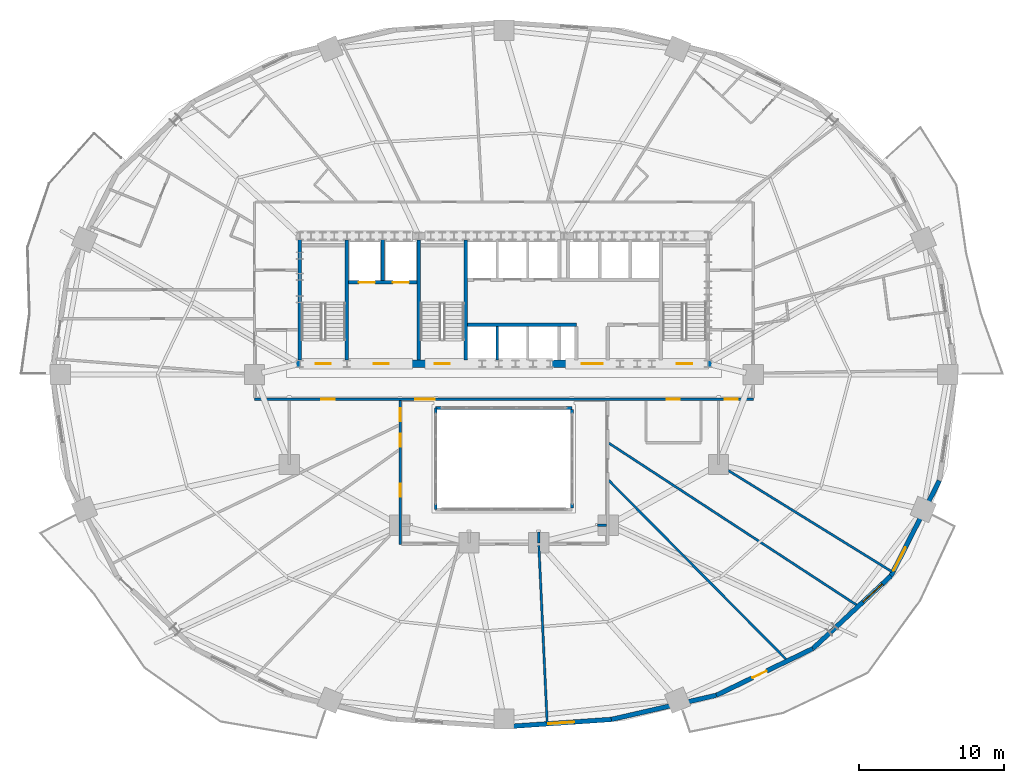
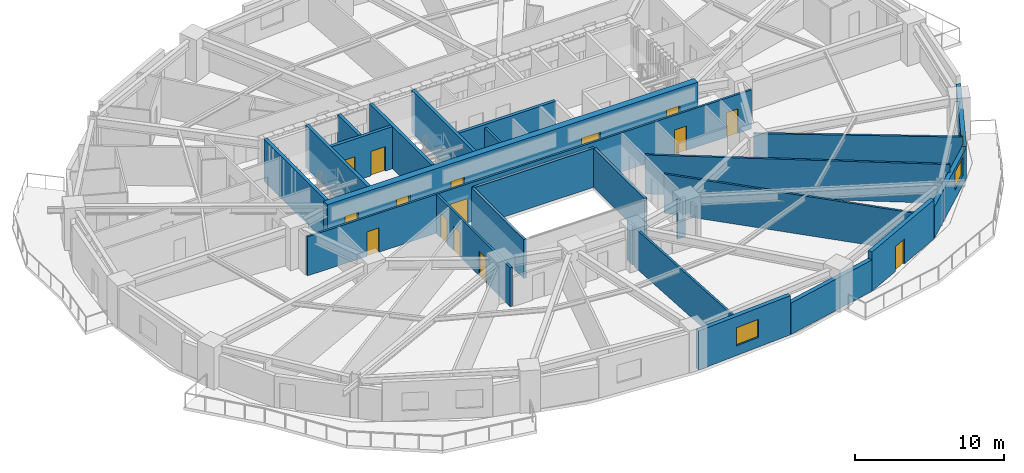
# One storey, part 10 of 17: 25 walls, 15 doors, 3 windows, 18 openings.
"""IFC4 building model written with IfcOpenShell, lengths in metres."""

from ifc_helpers import new_model, si_unit, direction, frame, frame_2d, origin, place, context, subcontext, project, spatial, rectangle, extrude, material, layer, layer_set, type_object, element, fill, save


model = new_model("IFC4")

# Units and contexts
model_context = context("Model", 3, precision=1e-05, world=origin(), true_north=direction((0.0, 1.0)))
body_context = subcontext(model_context, "Body", "Model", "MODEL_VIEW")
ifc_project = project(units=[si_unit("LENGTHUNIT", "METRE"), si_unit("AREAUNIT", "SQUARE_METRE"), si_unit("VOLUMEUNIT", "CUBIC_METRE"), si_unit("PLANEANGLEUNIT", "RADIAN"), si_unit("MASSUNIT", "GRAM", prefix="KILO")], contexts=[model_context])

# Site, building, storey
site_placement = place(None, origin())
site = spatial("IfcSite", under=ifc_project, at=site_placement, CompositionType="ELEMENT")
building_placement = place(site_placement, origin())
building = spatial("IfcBuilding", under=site, at=building_placement, Name="Haldorwick Loom Tower", CompositionType="ELEMENT")
storey_placement = place(building_placement, frame((0.0, 0.0, 30.89990234375)))
storey = spatial("IfcBuildingStorey", under=building, at=storey_placement, Name="L07", CompositionType="ELEMENT", Elevation=30.89990234375)

# Wall, opening, window
ifc_material_1 = material(Name="Pressed Clay Face Brick and Insulated Masonry Backup Assembly", Category="masonry")
ifc_layer_1 = layer(ifc_material_1, 0.320068359375, Name="Pressed Clay Face Brick and Insulated Masonry Backup Assembly", Category="masonry")
ifc_layer_set_1 = layer_set([ifc_layer_1], Name="Pressed Clay Face Brick and Insulated Masonry Backup Assembly")
wall_type_1 = type_object("IfcWallType", Name="ARC-WL-EXT320", PredefinedType="STANDARD", material=ifc_layer_set_1)
wall_1_placement = place(storey_placement, frame((36.0, 1.7099609375, 0.0), z_axis=(0.0, 0.0, 1.0), x_axis=(0.997645161917, 0.068586667092, 0.0)))
wall_1 = element("IfcWall", 1, at=wall_1_placement, inside=storey, type_object=wall_type_1, Name="L07 Brick Pier and Spandrel Wall 19", PredefinedType="STANDARD", context=body_context, shape_type="SweptSolid", body=[
    extrude(rectangle(XDim=7.428955078125, YDim=0.320068359375, at=frame_2d((3.71435546875, 0.0))), origin(), (0.0, 0.0, 1.0), 3.210205078125),
])
opening_1_placement = place(wall_1_placement, frame((3.055908203125, 0.0, 0.800048828125)))
opening_1 = element("IfcOpeningElement", 2, at=opening_1_placement, cuts=wall_1, Name="Opening W-01", PredefinedType="OPENING", context=body_context, shape_type="SweptSolid", body=[
    extrude(rectangle(XDim=1.800048828125, YDim=1.47998046875, at=frame_2d((0.89990234375, 0.739990234375))), frame((0.0, 0.169921875, 0.0), z_axis=(0.0, -1.0, 0.0), x_axis=(1.0, 0.0, 0.0)), (0.0, 0.0, 1.0), 0.340087890625),
])
ifc_material_2 = material(Name="Triple-Glazed Low-E Argon Insulated Glazing Unit", Category="glass")
window_type = type_object("IfcWindowType", Name="ARC-WIN-W180", PartitioningType="SINGLE_PANEL", PredefinedType="WINDOW", material=ifc_material_2)
window_1_placement = place(opening_1_placement, origin())
window_1 = element("IfcWindow", 3, at=window_1_placement, inside=storey, type_object=window_type, Name="L07 Deep-Set Zone 7A Window 19", OverallHeight=1.47998046875, OverallWidth=1.800048828125, PartitioningType="SINGLE_PANEL", PredefinedType="WINDOW", context=body_context, shape_type="SweptSolid", body=[
    extrude(rectangle(XDim=1.800048828125, YDim=1.47998046875, at=frame_2d((0.89990234375, 0.739990234375))), frame((0.0, 0.030029296875, 0.0), z_axis=(0.0, -1.0, 0.0), x_axis=(1.0, 0.0, 0.0)), (0.0, 0.0, 1.0), 0.06005859375),
])
fill(opening_1, window_1)

# Wall
wall_2_placement = place(storey_placement, frame((43.411376953125, 2.219482421875, 0.0), z_axis=(0.0, 0.0, 1.0), x_axis=(0.974522412345, 0.224290142088, 0.0)))
element("IfcWall", 4, at=wall_2_placement, inside=storey, type_object=wall_type_1, Name="L07 Brick Pier and Spandrel Wall 20", PredefinedType="STANDARD", context=body_context, shape_type="SweptSolid", body=[
    extrude(rectangle(XDim=7.422607421875, YDim=0.320068359375, at=frame_2d((3.71142578125, 0.0))), origin(), (0.0, 0.0, 1.0), 2.569091796875),
])

# Wall, opening, door
wall_3_placement = place(storey_placement, frame((50.644775390625, 3.88427734375, 0.0), z_axis=(0.0, 0.0, 1.0), x_axis=(0.900295710431, 0.435278800057, 0.0)))
wall_3 = element("IfcWall", 5, at=wall_3_placement, inside=storey, type_object=wall_type_1, Name="L07 Brick Pier and Spandrel Wall 21", PredefinedType="STANDARD", context=body_context, shape_type="SweptSolid", body=[
    extrude(rectangle(XDim=7.39697265625, YDim=0.320068359375, at=frame_2d((3.698486328125, 0.0))), origin(), (0.0, 0.0, 1.0), 3.210205078125),
])
opening_2_placement = place(wall_3_placement, frame((2.77783203125, 0.0, 0.0)))
opening_2 = element("IfcOpeningElement", 6, at=opening_2_placement, cuts=wall_3, Name="Opening D-BL11", PredefinedType="OPENING", context=body_context, shape_type="SweptSolid", body=[
    extrude(rectangle(XDim=1.080078125, YDim=2.0400390625, at=frame_2d((0.5400390625, 1.02001953125))), frame((0.0, 0.169921875, 0.0), z_axis=(0.0, -1.0, 0.0), x_axis=(1.0, 0.0, 0.0)), (0.0, 0.0, 1.0), 0.340087890625),
])
ifc_material_3 = material(Name="Thermally Broken Anodized Aluminium Curtain Wall Framing", Category="aluminium")
door_type_1 = type_object("IfcDoorType", Name="ARC-DR-BAL110", OperationType="NOTDEFINED", PredefinedType="DOOR", material=ifc_material_3)
door_1_placement = place(opening_2_placement, origin())
door_1 = element("IfcDoor", 7, at=door_1_placement, inside=storey, type_object=door_type_1, Name="L07 Outdoor Terrace Door SLB-L07-BAL_SE", OperationType="SINGLE_SWING_LEFT", OverallHeight=2.0400390625, OverallWidth=1.080078125, PredefinedType="DOOR", context=body_context, shape_type="SweptSolid", body=[
    extrude(rectangle(XDim=1.080078125, YDim=2.0400390625, at=frame_2d((0.5400390625, 1.02001953125))), frame((0.0, 0.02490234375, 0.0), z_axis=(0.0, -1.0, 0.0), x_axis=(1.0, 0.0, 0.0)), (0.0, 0.0, 1.0), 0.050048828125),
])
fill(opening_2, door_1)

# Wall, opening, window
wall_4_placement = place(storey_placement, frame((57.30419921875, 7.10400390625, 0.0), z_axis=(0.0, 0.0, 1.0), x_axis=(0.73176101237, 0.681561311091, 0.0)))
wall_4 = element("IfcWall", 8, at=wall_4_placement, inside=storey, type_object=wall_type_1, Name="L07 Brick Pier and Spandrel Wall 22", PredefinedType="STANDARD", context=body_context, shape_type="SweptSolid", body=[
    extrude(rectangle(XDim=7.3583984375, YDim=0.320068359375, at=frame_2d((3.67919921875, 0.0))), origin(), (0.0, 0.0, 1.0), 2.569091796875),
])
opening_3_placement = place(wall_4_placement, frame((4.736572265625, 0.0, 0.800048828125)))
opening_3 = element("IfcOpeningElement", 9, at=opening_3_placement, cuts=wall_4, Name="Opening W-01", PredefinedType="OPENING", context=body_context, shape_type="SweptSolid", body=[
    extrude(rectangle(XDim=1.800048828125, YDim=1.47998046875, at=frame_2d((0.89990234375, 0.739990234375))), frame((0.0, 0.169921875, 0.0), z_axis=(0.0, -1.0, 0.0), x_axis=(1.0, 0.0, 0.0)), (0.0, 0.0, 1.0), 0.340087890625),
])
window_2_placement = place(opening_3_placement, origin())
window_2 = element("IfcWindow", 10, at=window_2_placement, inside=storey, type_object=window_type, Name="L07 Deep-Set Zone 7A Window 22", OverallHeight=1.47998046875, OverallWidth=1.800048828125, PartitioningType="SINGLE_PANEL", PredefinedType="WINDOW", context=body_context, shape_type="SweptSolid", body=[
    extrude(rectangle(XDim=1.800048828125, YDim=1.47998046875, at=frame_2d((0.89990234375, 0.739990234375))), frame((0.0, 0.030029296875, 0.0), z_axis=(0.0, -1.0, 0.0), x_axis=(1.0, 0.0, 0.0)), (0.0, 0.0, 1.0), 0.06005859375),
])
fill(opening_3, window_2)

wall_5_placement = place(storey_placement, frame((62.688720703125, 12.119140625, 0.0), z_axis=(0.0, 0.0, 1.0), x_axis=(0.452950855928, 0.891535485617, 0.0)))
wall_5 = element("IfcWall", 11, at=wall_5_placement, inside=storey, type_object=wall_type_1, Name="L07 Brick Pier and Spandrel Wall 23", PredefinedType="STANDARD", context=body_context, shape_type="SweptSolid", body=[
    extrude(rectangle(XDim=7.3583984375, YDim=0.320068359375, at=frame_2d((3.67919921875, 0.0))), origin(), (0.0, 0.0, 1.0), 2.569091796875),
])
opening_4_placement = place(wall_5_placement, frame((0.400146484375, 0.0, 0.800048828125)))
opening_4 = element("IfcOpeningElement", 12, at=opening_4_placement, cuts=wall_5, Name="Opening W-01", PredefinedType="OPENING", context=body_context, shape_type="SweptSolid", body=[
    extrude(rectangle(XDim=1.800048828125, YDim=1.47998046875, at=frame_2d((0.89990234375, 0.739990234375))), frame((0.0, 0.169921875, 0.0), z_axis=(0.0, -1.0, 0.0), x_axis=(1.0, 0.0, 0.0)), (0.0, 0.0, 1.0), 0.340087890625),
])
window_3_placement = place(opening_4_placement, origin())
window_3 = element("IfcWindow", 13, at=window_3_placement, inside=storey, type_object=window_type, Name="L07 Deep-Set Zone 7A Window 23", OverallHeight=1.47998046875, OverallWidth=1.800048828125, PartitioningType="SINGLE_PANEL", PredefinedType="WINDOW", context=body_context, shape_type="SweptSolid", body=[
    extrude(rectangle(XDim=1.800048828125, YDim=1.47998046875, at=frame_2d((0.89990234375, 0.739990234375))), frame((0.0, 0.030029296875, 0.0), z_axis=(0.0, -1.0, 0.0), x_axis=(1.0, 0.0, 0.0)), (0.0, 0.0, 1.0), 0.06005859375),
])
fill(opening_4, window_3)

# Wall, openings, doors
ifc_material_4 = material(Name="Fire-Rated Type X Gypsum Stud Assembly EI 60")
ifc_layer_2 = layer(ifc_material_4, 0.159912109375, Name="Fire-Rated Type X Gypsum Stud Assembly EI 60")
ifc_layer_set_2 = layer_set([ifc_layer_2], Name="Fire-Rated Type X Gypsum Stud Assembly EI 60")
wall_type_2 = type_object("IfcWallType", Name="ARC-WL-FIRE160", PredefinedType="PARTITIONING", material=ifc_layer_set_2)
wall_6_placement = place(storey_placement, frame((18.800048828125, 24.300048828125, 0.0), z_axis=(0.0, 0.0, 1.0), x_axis=(1.0, 0.0, 0.0)))
wall_6 = element("IfcWall", 14, at=wall_6_placement, inside=storey, type_object=wall_type_2, Name="L07 Residential Fire Partition L07-CR-SP", PredefinedType="PARTITIONING", context=body_context, shape_type="SweptSolid", body=[
    extrude(rectangle(XDim=34.39990234375, YDim=0.159912109375, at=frame_2d((17.199951171875, 0.0))), origin(), (0.0, 0.0, 1.0), 3.195068359375),
])
opening_5_placement = place(wall_6_placement, frame((11.085693359375, 0.0, 0.0)))
opening_5 = element("IfcOpeningElement", 15, at=opening_5_placement, cuts=wall_6, Name="Opening D-CR15", PredefinedType="OPENING", context=body_context, shape_type="SweptSolid", body=[
    extrude(rectangle(XDim=1.35009765625, YDim=2.0, at=frame_2d((0.675048828125, 1.0))), frame((0.0, 0.08984375, 0.0), z_axis=(0.0, -1.0, 0.0), x_axis=(1.0, 0.0, 0.0)), (0.0, 0.0, 1.0), 0.179931640625),
])
opening_6_placement = place(wall_6_placement, frame((4.621826171875, 0.0, 0.0)))
opening_6 = element("IfcOpeningElement", 16, at=opening_6_placement, cuts=wall_6, Name="Opening D-FD60A", PredefinedType="OPENING", context=body_context, shape_type="SweptSolid", body=[
    extrude(rectangle(XDim=0.89990234375, YDim=2.0, at=frame_2d((0.449951171875, 1.0))), frame((0.0, 0.08984375, 0.0), z_axis=(0.0, -1.0, 0.0), x_axis=(1.0, 0.0, 0.0)), (0.0, 0.0, 1.0), 0.179931640625),
])
opening_7_placement = place(wall_6_placement, frame((28.437255859375, 0.0, 0.0)))
opening_7 = element("IfcOpeningElement", 17, at=opening_7_placement, cuts=wall_6, Name="Opening D-FD60A", PredefinedType="OPENING", context=body_context, shape_type="SweptSolid", body=[
    extrude(rectangle(XDim=0.89990234375, YDim=2.0, at=frame_2d((0.449951171875, 1.0))), frame((0.0, 0.08984375, 0.0), z_axis=(0.0, -1.0, 0.0), x_axis=(1.0, 0.0, 0.0)), (0.0, 0.0, 1.0), 0.179931640625),
])
opening_8_placement = place(wall_6_placement, frame((32.436767578125, 0.0, 0.0)))
opening_8 = element("IfcOpeningElement", 18, at=opening_8_placement, cuts=wall_6, Name="Opening D-FD60A", PredefinedType="OPENING", context=body_context, shape_type="SweptSolid", body=[
    extrude(rectangle(XDim=0.89990234375, YDim=2.0, at=frame_2d((0.449951171875, 1.0))), frame((0.0, 0.08984375, 0.0), z_axis=(0.0, -1.0, 0.0), x_axis=(1.0, 0.0, 0.0)), (0.0, 0.0, 1.0), 0.179931640625),
])
ifc_material_5 = material(Name="Thermally Broken Anodized Aluminium and Tempered Glass", Category="aluminium")
door_type_2 = type_object("IfcDoorType", Name="ARC-DR-COR150", OperationType="NOTDEFINED", PredefinedType="DOOR", material=ifc_material_5)
door_2_placement = place(opening_5_placement, origin())
door_2 = element("IfcDoor", 19, at=door_2_placement, inside=storey, type_object=door_type_2, Name="L07 L07 Central Residential Corridor to L07 South Atrium Corridor Door", OperationType="DOUBLE_DOOR_SINGLE_SWING", OverallHeight=2.0, OverallWidth=1.35009765625, PredefinedType="DOOR", context=body_context, shape_type="SweptSolid", body=[
    extrude(rectangle(XDim=1.35009765625, YDim=2.0, at=frame_2d((0.675048828125, 1.0))), frame((0.0, 0.02490234375, 0.0), z_axis=(0.0, -1.0, 0.0), x_axis=(1.0, 0.0, 0.0)), (0.0, 0.0, 1.0), 0.050048828125),
])
fill(opening_5, door_2)
ifc_material_6 = material(Name="Hollow Steel Fire Door Assembly", Category="steel")
door_type_3 = type_object("IfcDoorType", Name="ARC-DR-FD60-90", OperationType="NOTDEFINED", PredefinedType="DOOR", material=ifc_material_6)
door_3_placement = place(opening_6_placement, origin())
door_3 = element("IfcDoor", 20, at=door_3_placement, inside=storey, type_object=door_type_3, Name="L07 L07 Central Residential Corridor to Shared Resident Dining Hall 9 Do", OperationType="SINGLE_SWING_LEFT", OverallHeight=2.0, OverallWidth=0.89990234375, PredefinedType="DOOR", context=body_context, shape_type="SweptSolid", body=[
    extrude(rectangle(XDim=0.89990234375, YDim=2.0, at=frame_2d((0.449951171875, 1.0))), frame((0.0, 0.02490234375, 0.0), z_axis=(0.0, -1.0, 0.0), x_axis=(1.0, 0.0, 0.0)), (0.0, 0.0, 1.0), 0.050048828125),
])
fill(opening_6, door_3)
door_4_placement = place(opening_7_placement, origin())
door_4 = element("IfcDoor", 21, at=door_4_placement, inside=storey, type_object=door_type_3, Name="L07 L07 Central Residential Corridor to Common Accessible WC Door", OperationType="SINGLE_SWING_RIGHT", OverallHeight=2.0, OverallWidth=0.89990234375, PredefinedType="DOOR", context=body_context, shape_type="SweptSolid", body=[
    extrude(rectangle(XDim=0.89990234375, YDim=2.0, at=frame_2d((0.449951171875, 1.0))), frame((0.0, 0.02490234375, 0.0), z_axis=(0.0, -1.0, 0.0), x_axis=(1.0, 0.0, 0.0)), (0.0, 0.0, 1.0), 0.050048828125),
])
fill(opening_7, door_4)
door_5_placement = place(opening_8_placement, origin())
door_5 = element("IfcDoor", 22, at=door_5_placement, inside=storey, type_object=door_type_3, Name="L07 L07 Central Residential Corridor to Shared Resident Dining Hall 20 D", OperationType="SINGLE_SWING_RIGHT", OverallHeight=2.0, OverallWidth=0.89990234375, PredefinedType="DOOR", context=body_context, shape_type="SweptSolid", body=[
    extrude(rectangle(XDim=0.89990234375, YDim=2.0, at=frame_2d((0.449951171875, 1.0))), frame((0.0, 0.02490234375, 0.0), z_axis=(0.0, -1.0, 0.0), x_axis=(1.0, 0.0, 0.0)), (0.0, 0.0, 1.0), 0.050048828125),
])
fill(opening_8, door_5)

wall_7_placement = place(storey_placement, frame((28.85009765625, 14.300048828125, 0.0), z_axis=(0.0, 0.0, 1.0), x_axis=(0.0, 1.0, 0.0)))
wall_7 = element("IfcWall", 23, at=wall_7_placement, inside=storey, type_object=wall_type_2, Name="L07 Residential Fire Partition L07-CR-AW", PredefinedType="PARTITIONING", context=body_context, shape_type="SweptSolid", body=[
    extrude(rectangle(XDim=9.9169921875, YDim=0.159912109375, at=frame_2d((4.95849609375, 0.0))), origin(), (0.0, 0.0, 1.0), 3.195068359375),
])
opening_9_placement = place(wall_7_placement, frame((3.27685546875, 0.0, 0.0)))
opening_9 = element("IfcOpeningElement", 24, at=opening_9_placement, cuts=wall_7, Name="Opening D-FD60A", PredefinedType="OPENING", context=body_context, shape_type="SweptSolid", body=[
    extrude(rectangle(XDim=0.89990234375, YDim=2.0, at=frame_2d((0.449951171875, 1.0))), frame((0.0, 0.08984375, 0.0), z_axis=(0.0, -1.0, 0.0), x_axis=(1.0, 0.0, 0.0)), (0.0, 0.0, 1.0), 0.179931640625),
])
opening_10_placement = place(wall_7_placement, frame((8.475341796875, 0.0, 0.0)))
opening_10 = element("IfcOpeningElement", 25, at=opening_10_placement, cuts=wall_7, Name="Opening D-FD60A", PredefinedType="OPENING", context=body_context, shape_type="SweptSolid", body=[
    extrude(rectangle(XDim=0.89990234375, YDim=2.0, at=frame_2d((0.449951171875, 1.0))), frame((0.0, 0.08984375, 0.0), z_axis=(0.0, -1.0, 0.0), x_axis=(1.0, 0.0, 0.0)), (0.0, 0.0, 1.0), 0.179931640625),
])
opening_11_placement = place(wall_7_placement, frame((6.71240234375, 0.0, 0.0)))
opening_11 = element("IfcOpeningElement", 26, at=opening_11_placement, cuts=wall_7, Name="Opening D-FD60A", PredefinedType="OPENING", context=body_context, shape_type="SweptSolid", body=[
    extrude(rectangle(XDim=0.89990234375, YDim=2.0, at=frame_2d((0.449951171875, 1.0))), frame((0.0, 0.08984375, 0.0), z_axis=(0.0, -1.0, 0.0), x_axis=(1.0, 0.0, 0.0)), (0.0, 0.0, 1.0), 0.179931640625),
])
door_6_placement = place(opening_9_placement, frame((0.89990234375, 0.0, 0.0), z_axis=(0.0, 0.0, 1.0), x_axis=(-1.0, 0.0, 0.0)))
door_6 = element("IfcDoor", 27, at=door_6_placement, inside=storey, type_object=door_type_3, Name="L07 Shared Resident Dining Hall 7 to L07 South Atrium Corridor Door", OperationType="SINGLE_SWING_LEFT", OverallHeight=2.0, OverallWidth=0.89990234375, PredefinedType="DOOR", context=body_context, shape_type="SweptSolid", body=[
    extrude(rectangle(XDim=0.89990234375, YDim=2.0, at=frame_2d((0.449951171875, 1.0))), frame((0.0, 0.02490234375, 0.0), z_axis=(0.0, -1.0, 0.0), x_axis=(1.0, 0.0, 0.0)), (0.0, 0.0, 1.0), 0.050048828125),
])
fill(opening_9, door_6)
door_7_placement = place(opening_10_placement, frame((0.89990234375, 0.0, 0.0), z_axis=(0.0, 0.0, 1.0), x_axis=(-1.0, 0.0, 0.0)))
door_7 = element("IfcDoor", 28, at=door_7_placement, inside=storey, type_object=door_type_3, Name="L07 Shared Resident Dining Hall 9 to L07 South Atrium Corridor Door", OperationType="SINGLE_SWING_LEFT", OverallHeight=2.0, OverallWidth=0.89990234375, PredefinedType="DOOR", context=body_context, shape_type="SweptSolid", body=[
    extrude(rectangle(XDim=0.89990234375, YDim=2.0, at=frame_2d((0.449951171875, 1.0))), frame((0.0, 0.02490234375, 0.0), z_axis=(0.0, -1.0, 0.0), x_axis=(1.0, 0.0, 0.0)), (0.0, 0.0, 1.0), 0.050048828125),
])
fill(opening_10, door_7)
door_8_placement = place(opening_11_placement, frame((0.89990234375, 0.0, 0.0), z_axis=(0.0, 0.0, 1.0), x_axis=(-1.0, 0.0, 0.0)))
door_8 = element("IfcDoor", 29, at=door_8_placement, inside=storey, type_object=door_type_3, Name="L07 Shared Resident Dining Hall 8 to L07 South Atrium Corridor Door", OperationType="SINGLE_SWING_RIGHT", OverallHeight=2.0, OverallWidth=0.89990234375, PredefinedType="DOOR", context=body_context, shape_type="SweptSolid", body=[
    extrude(rectangle(XDim=0.89990234375, YDim=2.0, at=frame_2d((0.449951171875, 1.0))), frame((0.0, 0.02490234375, 0.0), z_axis=(0.0, -1.0, 0.0), x_axis=(1.0, 0.0, 0.0)), (0.0, 0.0, 1.0), 0.050048828125),
])
fill(opening_11, door_8)

# Walls
wall_8_placement = place(storey_placement, frame((50.800048828125, 19.800048828125, 0.0), z_axis=(0.0, 0.0, 1.0), x_axis=(0.850535127124, -0.525918242248, 0.0)))
element("IfcWall", 30, at=wall_8_placement, inside=storey, type_object=wall_type_2, Name="L07 Residential Fire Partition L07-ICR-02", PredefinedType="PARTITIONING", context=body_context, shape_type="SweptSolid", body=[
    extrude(rectangle(XDim=14.0625, YDim=0.159912109375, at=frame_2d((7.03125, 0.0))), origin(), (0.0, 0.0, 1.0), 3.195068359375),
])
wall_9_placement = place(storey_placement, frame((38.40869140625, 14.217041015625, 0.0), z_axis=(0.0, 0.0, 1.0), x_axis=(0.046913692992, -0.998898946546, 0.0)))
element("IfcWall", 31, at=wall_9_placement, inside=storey, type_object=wall_type_2, Name="L07 Residential Fire Partition L07-ICR-05", PredefinedType="PARTITIONING", context=body_context, shape_type="SweptSolid", body=[
    extrude(rectangle(XDim=12.250244140625, YDim=0.159912109375, at=frame_2d((6.125, 0.0))), origin(), (0.0, 0.0, 1.0), 3.195068359375),
])
wall_10_placement = place(storey_placement, frame((42.449951171875, 15.60009765625, 0.0), z_axis=(0.0, 0.0, 1.0), x_axis=(1.0, 0.0, 0.0)))
element("IfcWall", 32, at=wall_10_placement, inside=storey, type_object=wall_type_2, Name="L07 Residential Fire Partition L07-ICA-03", PredefinedType="PARTITIONING", context=body_context, shape_type="SweptSolid", body=[
    extrude(rectangle(XDim=0.616943359375, YDim=0.159912109375, at=frame_2d((0.30859375, 0.0))), origin(), (0.0, 0.0, 1.0), 3.195068359375),
])
wall_11_placement = place(storey_placement, frame((38.39990234375, 15.14990234375, 0.0), z_axis=(0.0, 0.0, 1.0), x_axis=(0.0, -1.0, 0.0)))
element("IfcWall", 33, at=wall_11_placement, inside=storey, type_object=wall_type_2, Name="L07 Residential Fire Partition L07-ICA-04", PredefinedType="PARTITIONING", context=body_context, shape_type="SweptSolid", body=[
    extrude(rectangle(XDim=0.75, YDim=0.159912109375, at=frame_2d((0.375, 0.0))), origin(), (0.0, 0.0, 1.0), 3.195068359375),
])
wall_12_placement = place(storey_placement, frame((43.23291015625, 18.702392578125, 0.0), z_axis=(0.0, 0.0, 1.0), x_axis=(0.703965315015, -0.710234352348, 0.0)))
element("IfcWall", 34, at=wall_12_placement, inside=storey, type_object=wall_type_2, Name="L07 Suite Split Wall", PredefinedType="PARTITIONING", context=body_context, shape_type="SweptSolid", body=[
    extrude(rectangle(XDim=17.44677734375, YDim=0.159912109375, at=frame_2d((8.723388671875, 0.0))), origin(), (0.0, 0.0, 1.0), 3.195068359375),
])
wall_13_placement = place(storey_placement, frame((43.23291015625, 21.2744140625, 0.0), z_axis=(0.0, 0.0, 1.0), x_axis=(0.837153835171, -0.546967509326, 0.0)))
element("IfcWall", 35, at=wall_13_placement, inside=storey, type_object=wall_type_2, Name="L07 Suite Split Wall", PredefinedType="PARTITIONING", context=body_context, shape_type="SweptSolid", body=[
    extrude(rectangle(XDim=20.492919921875, YDim=0.159912109375, at=frame_2d((10.24658203125, 0.0))), origin(), (0.0, 0.0, 1.0), 3.195068359375),
])
ifc_material_7 = material(Name="Fire-Rated Type X Gypsum Stud Assembly EI 120")
ifc_layer_3 = layer(ifc_material_7, 0.199951171875, Name="Fire-Rated Type X Gypsum Stud Assembly EI 120")
ifc_layer_set_3 = layer_set([ifc_layer_3], Name="Fire-Rated Type X Gypsum Stud Assembly EI 120")
wall_type_3 = type_object("IfcWallType", Name="ARC-WL-FIRE200", PredefinedType="PARTITIONING", material=ifc_layer_set_3)
wall_14_placement = place(storey_placement, frame((31.300048828125, 23.699951171875, 0.0), z_axis=(0.0, 0.0, 1.0), x_axis=(1.0, 0.0, 0.0)))
element("IfcWall", 36, at=wall_14_placement, inside=storey, type_object=wall_type_3, Name="L07 Atrium Fire Enclosure Wall N", PredefinedType="PARTITIONING", context=body_context, shape_type="SweptSolid", body=[
    extrude(rectangle(XDim=9.39990234375, YDim=0.199951171875, at=frame_2d((4.699951171875, 0.0))), origin(), (0.0, 0.0, 1.0), 3.195068359375),
])
wall_15_placement = place(storey_placement, frame((31.300048828125, 16.699951171875, 0.0), z_axis=(0.0, 0.0, 1.0), x_axis=(0.0, 1.0, 0.0)))
element("IfcWall", 37, at=wall_15_placement, inside=storey, type_object=wall_type_3, Name="L07 Atrium Fire Enclosure Wall W", PredefinedType="PARTITIONING", context=body_context, shape_type="SweptSolid", body=[
    extrude(rectangle(XDim=7.0, YDim=0.199951171875, at=frame_2d((3.5, 0.0))), origin(), (0.0, 0.0, 1.0), 3.195068359375),
])
wall_16_placement = place(storey_placement, frame((40.699951171875, 23.596923828125, 0.0), z_axis=(0.0, 0.0, 1.0), x_axis=(0.0, -1.0, 0.0)))
element("IfcWall", 38, at=wall_16_placement, inside=storey, type_object=wall_type_3, Name="L07 Atrium Fire Enclosure Wall E", PredefinedType="PARTITIONING", context=body_context, shape_type="SweptSolid", body=[
    extrude(rectangle(XDim=6.7939453125, YDim=0.199951171875, at=frame_2d((3.39697265625, 0.0))), origin(), (0.0, 0.0, 1.0), 3.195068359375),
])
ifc_layer_4 = layer(ifc_material_7, 0.1650390625, Name="Fire-Rated Type X Gypsum Stud Assembly EI 120")
ifc_layer_set_4 = layer_set([ifc_layer_4], Name="Fire-Rated Type X Gypsum Stud Assembly EI 120")
wall_type_4 = type_object("IfcWallType", Name="ARC-WL-SHAFT160", PredefinedType="MOVABLE", material=ifc_layer_set_4)
wall_17_placement = place(storey_placement, frame((35.550048828125, 27.0029296875, 0.0), z_axis=(0.0, 0.0, 1.0), x_axis=(0.0, 1.0, 0.0)))
element("IfcWall", 39, at=wall_17_placement, inside=storey, type_object=wall_type_4, Name="L07 Mid-Rise Hoistway Divider 1", PredefinedType="MOVABLE", context=body_context, shape_type="SweptSolid", body=[
    extrude(rectangle(XDim=2.323974609375, YDim=0.159912109375, at=frame_2d((1.162109375, 0.0))), origin(), (0.0, 0.0, 1.0), 3.195068359375),
])

# Wall, openings, doors
ifc_material_8 = material(Name="Concrete C60 (60 MPa)", Category="concrete")
ifc_layer_5 = layer(ifc_material_8, 0.5, Name="Concrete C60 (60 MPa)", Category="concrete")
ifc_layer_set_5 = layer_set([ifc_layer_5], Name="Concrete C60 (60 MPa)")
wall_type_5 = type_object("IfcWallType", Name="STR-WL-CORE500", PredefinedType="SHEAR", material=ifc_layer_set_5)
wall_18_placement = place(storey_placement, frame((21.64990234375, 26.75, 0.0), z_axis=(0.0, 0.0, 1.0), x_axis=(1.0, 0.0, 0.0)))
wall_18 = element("IfcWall", 40, at=wall_18_placement, inside=storey, type_object=wall_type_5, Name="L07 Core Shear Wall S", PredefinedType="SHEAR", context=body_context, shape_type="SweptSolid", body=[
    extrude(rectangle(XDim=28.7001953125, YDim=0.5, at=frame_2d((14.35009765625, 0.0))), origin(), (0.0, 0.0, 1.0), 3.4501953125),
])
opening_12_placement = place(wall_18_placement, frame((1.375, 0.0, 0.0)))
opening_12 = element("IfcOpeningElement", 41, at=opening_12_placement, cuts=wall_18, Name="Opening D-FD60", PredefinedType="OPENING", context=body_context, shape_type="SweptSolid", body=[
    extrude(rectangle(XDim=1.050048828125, YDim=2.0, at=frame_2d((0.52490234375, 1.0))), frame((0.0, 0.260009765625, 0.0), z_axis=(0.0, -1.0, 0.0), x_axis=(1.0, 0.0, 0.0)), (0.0, 0.0, 1.0), 0.52001953125),
])
opening_13_placement = place(wall_18_placement, frame((5.375, 0.0, 0.0)))
opening_13 = element("IfcOpeningElement", 42, at=opening_13_placement, cuts=wall_18, Name="Opening D-FD60", PredefinedType="OPENING", context=body_context, shape_type="SweptSolid", body=[
    extrude(rectangle(XDim=1.050048828125, YDim=2.0, at=frame_2d((0.52490234375, 1.0))), frame((0.0, 0.260009765625, 0.0), z_axis=(0.0, -1.0, 0.0), x_axis=(1.0, 0.0, 0.0)), (0.0, 0.0, 1.0), 0.52001953125),
])
opening_14_placement = place(wall_18_placement, frame((9.574951171875, 0.0, 0.0)))
opening_14 = element("IfcOpeningElement", 43, at=opening_14_placement, cuts=wall_18, Name="Opening D-FD60", PredefinedType="OPENING", context=body_context, shape_type="SweptSolid", body=[
    extrude(rectangle(XDim=1.050048828125, YDim=2.0, at=frame_2d((0.52490234375, 1.0))), frame((0.0, 0.260009765625, 0.0), z_axis=(0.0, -1.0, 0.0), x_axis=(1.0, 0.0, 0.0)), (0.0, 0.0, 1.0), 0.52001953125),
])
opening_15_placement = place(wall_18_placement, frame((19.705078125, 0.0, 0.0)))
opening_15 = element("IfcOpeningElement", 44, at=opening_15_placement, cuts=wall_18, Name="Opening D-LB15", PredefinedType="OPENING", context=body_context, shape_type="SweptSolid", body=[
    extrude(rectangle(XDim=1.449951171875, YDim=2.0, at=frame_2d((0.72509765625, 1.0))), frame((0.0, 0.260009765625, 0.0), z_axis=(0.0, -1.0, 0.0), x_axis=(1.0, 0.0, 0.0)), (0.0, 0.0, 1.0), 0.52001953125),
])
opening_16_placement = place(wall_18_placement, frame((26.27490234375, 0.0, 0.0)))
opening_16 = element("IfcOpeningElement", 45, at=opening_16_placement, cuts=wall_18, Name="Opening D-FD60", PredefinedType="OPENING", context=body_context, shape_type="SweptSolid", body=[
    extrude(rectangle(XDim=1.050048828125, YDim=2.0, at=frame_2d((0.52490234375, 1.0))), frame((0.0, 0.260009765625, 0.0), z_axis=(0.0, -1.0, 0.0), x_axis=(1.0, 0.0, 0.0)), (0.0, 0.0, 1.0), 0.52001953125),
])
door_type_4 = type_object("IfcDoorType", Name="ARC-DR-FD60", OperationType="NOTDEFINED", PredefinedType="DOOR", material=ifc_material_6)
door_9_placement = place(opening_12_placement, origin())
door_9 = element("IfcDoor", 46, at=door_9_placement, inside=storey, type_object=door_type_4, Name="L07 Exit Stair ST-01 Fire Door", OperationType="SINGLE_SWING_LEFT", OverallHeight=2.0, OverallWidth=1.050048828125, PredefinedType="DOOR", context=body_context, shape_type="SweptSolid", body=[
    extrude(rectangle(XDim=1.050048828125, YDim=2.0, at=frame_2d((0.52490234375, 1.0))), frame((0.0, 0.02490234375, 0.0), z_axis=(0.0, -1.0, 0.0), x_axis=(1.0, 0.0, 0.0)), (0.0, 0.0, 1.0), 0.050048828125),
])
fill(opening_12, door_9)
door_10_placement = place(opening_13_placement, origin())
door_10 = element("IfcDoor", 47, at=door_10_placement, inside=storey, type_object=door_type_4, Name="L07 Firefighting Lift Lobby Fire Door", OperationType="SINGLE_SWING_RIGHT", OverallHeight=2.0, OverallWidth=1.050048828125, PredefinedType="DOOR", context=body_context, shape_type="SweptSolid", body=[
    extrude(rectangle(XDim=1.050048828125, YDim=2.0, at=frame_2d((0.52490234375, 1.0))), frame((0.0, 0.02490234375, 0.0), z_axis=(0.0, -1.0, 0.0), x_axis=(1.0, 0.0, 0.0)), (0.0, 0.0, 1.0), 0.050048828125),
])
fill(opening_13, door_10)
door_11_placement = place(opening_14_placement, origin())
door_11 = element("IfcDoor", 48, at=door_11_placement, inside=storey, type_object=door_type_4, Name="L07 Exit Stair ST-03 Fire Door", OperationType="SINGLE_SWING_LEFT", OverallHeight=2.0, OverallWidth=1.050048828125, PredefinedType="DOOR", context=body_context, shape_type="SweptSolid", body=[
    extrude(rectangle(XDim=1.050048828125, YDim=2.0, at=frame_2d((0.52490234375, 1.0))), frame((0.0, 0.02490234375, 0.0), z_axis=(0.0, -1.0, 0.0), x_axis=(1.0, 0.0, 0.0)), (0.0, 0.0, 1.0), 0.050048828125),
])
fill(opening_14, door_11)
door_12_placement = place(opening_16_placement, origin())
door_12 = element("IfcDoor", 49, at=door_12_placement, inside=storey, type_object=door_type_4, Name="L07 Exit Stair ST-02 Fire Door", OperationType="SINGLE_SWING_LEFT", OverallHeight=2.0, OverallWidth=1.050048828125, PredefinedType="DOOR", context=body_context, shape_type="SweptSolid", body=[
    extrude(rectangle(XDim=1.050048828125, YDim=2.0, at=frame_2d((0.52490234375, 1.0))), frame((0.0, 0.02490234375, 0.0), z_axis=(0.0, -1.0, 0.0), x_axis=(1.0, 0.0, 0.0)), (0.0, 0.0, 1.0), 0.050048828125),
])
fill(opening_16, door_12)
door_type_5 = type_object("IfcDoorType", Name="ARC-DR-LOB150", OperationType="NOTDEFINED", PredefinedType="DOOR", material=ifc_material_5)
door_13_placement = place(opening_15_placement, frame((1.449951171875, 0.0, 0.0), z_axis=(0.0, 0.0, 1.0), x_axis=(-1.0, 0.0, 0.0)))
door_13 = element("IfcDoor", 50, at=door_13_placement, inside=storey, type_object=door_type_5, Name="L07 Passenger Lift Lobby Fire Door", OperationType="DOUBLE_DOOR_SINGLE_SWING", OverallHeight=2.0, OverallWidth=1.449951171875, PredefinedType="DOOR", context=body_context, shape_type="SweptSolid", body=[
    extrude(rectangle(XDim=1.449951171875, YDim=2.0, at=frame_2d((0.72509765625, 1.0))), frame((0.0, 0.02490234375, 0.0), z_axis=(0.0, -1.0, 0.0), x_axis=(1.0, 0.0, 0.0)), (0.0, 0.0, 1.0), 0.050048828125),
])
fill(opening_15, door_13)

# Walls
ifc_material_9 = material(Name="Concrete C50 (50 MPa)", Category="concrete")
ifc_layer_6 = layer(ifc_material_9, 0.239990234375, Name="Concrete C50 (50 MPa)", Category="concrete")
ifc_layer_set_6 = layer_set([ifc_layer_6], Name="Concrete C50 (50 MPa)")
wall_type_6 = type_object("IfcWallType", Name="STR-WL-SHAFT240", PredefinedType="SHEAR", material=ifc_layer_set_6)
for number, where, z_axis, x_axis, name in (
    (51, (21.929931640625, 35.297119140625, 0.0), (0.0, 0.0, 1.0), (0.0, -1.0, 0.0), "L07 Core Shear Wall W"),
    (52, (25.169921875, 27.0029296875, 0.0), (0.0, 0.0, 1.0), (0.0, 1.0, 0.0), "L07 Core Shear Wall 1"),
    (53, (30.1298828125, 27.0029296875, 0.0), (0.0, 0.0, 1.0), (0.0, 1.0, 0.0), "L07 Core Shear Wall 2"),
    (54, (33.3701171875, 27.0029296875, 0.0), (0.0, 0.0, 1.0), (0.0, 1.0, 0.0), "L07 Core Shear Wall 3"),
):
    element("IfcWall", number, at=place(storey_placement, frame(where, z_axis=z_axis, x_axis=x_axis)), inside=storey, type_object=wall_type_6, Name=name, PredefinedType="SHEAR", context=body_context, shape_type="SweptSolid", body=[
        extrude(rectangle(XDim=8.294189453125, YDim=0.239990234375, at=frame_2d((4.14697265625, 0.0))), origin(), (0.0, 0.0, 1.0), 3.4501953125),
    ])

# Wall, openings, doors
wall_19_placement = place(storey_placement, frame((25.29296875, 32.35009765625, 0.0), z_axis=(0.0, 0.0, 1.0), x_axis=(1.0, 0.0, 0.0)))
wall_19 = element("IfcWall", 55, at=wall_19_placement, inside=storey, type_object=wall_type_6, Name="L07 Core Shear Wall FF", PredefinedType="SHEAR", context=body_context, shape_type="SweptSolid", body=[
    extrude(rectangle(XDim=4.714111328125, YDim=0.239990234375, at=frame_2d((2.35693359375, 0.0))), origin(), (0.0, 0.0, 1.0), 3.4501953125),
])
opening_17_placement = place(wall_19_placement, frame((0.70703125, 0.0, 0.0)))
opening_17 = element("IfcOpeningElement", 56, at=opening_17_placement, cuts=wall_19, Name="Opening LD-FF1", PredefinedType="OPENING", context=body_context, shape_type="SweptSolid", body=[
    extrude(rectangle(XDim=1.10009765625, YDim=2.0, at=frame_2d((0.550048828125, 1.0))), frame((0.0, 0.1298828125, 0.0), z_axis=(0.0, -1.0, 0.0), x_axis=(1.0, 0.0, 0.0)), (0.0, 0.0, 1.0), 0.260009765625),
])
opening_18_placement = place(wall_19_placement, frame((3.056884765625, 0.0, 0.0)))
opening_18 = element("IfcOpeningElement", 57, at=opening_18_placement, cuts=wall_19, Name="Opening LD-FF2", PredefinedType="OPENING", context=body_context, shape_type="SweptSolid", body=[
    extrude(rectangle(XDim=1.10009765625, YDim=2.0, at=frame_2d((0.550048828125, 1.0))), frame((0.0, 0.1298828125, 0.0), z_axis=(0.0, -1.0, 0.0), x_axis=(1.0, 0.0, 0.0)), (0.0, 0.0, 1.0), 0.260009765625),
])
door_type_6 = type_object("IfcDoorType", Name="ARC-DR-LD-FF", OperationType="NOTDEFINED", PredefinedType="USERDEFINED", material=ifc_material_6)
door_14_placement = place(opening_17_placement, origin())
door_14 = element("IfcDoor", 58, at=door_14_placement, inside=storey, type_object=door_type_6, Name="L07 Lift LF-FF1 Sliding Landing Door", ObjectType="LANDING DOOR", OperationType="DOUBLE_DOOR_SLIDING", OverallHeight=2.0, OverallWidth=1.10009765625, PredefinedType="USERDEFINED", context=body_context, shape_type="SweptSolid", body=[
    extrude(rectangle(XDim=1.10009765625, YDim=2.0, at=frame_2d((0.550048828125, 1.0))), frame((0.0, 0.02490234375, 0.0), z_axis=(0.0, -1.0, 0.0), x_axis=(1.0, 0.0, 0.0)), (0.0, 0.0, 1.0), 0.050048828125),
])
fill(opening_17, door_14)
door_15_placement = place(opening_18_placement, origin())
door_15 = element("IfcDoor", 59, at=door_15_placement, inside=storey, type_object=door_type_6, Name="L07 Lift LF-FF2 Sliding Landing Door", ObjectType="LANDING DOOR", OperationType="DOUBLE_DOOR_SLIDING", OverallHeight=2.0, OverallWidth=1.10009765625, PredefinedType="USERDEFINED", context=body_context, shape_type="SweptSolid", body=[
    extrude(rectangle(XDim=1.10009765625, YDim=2.0, at=frame_2d((0.550048828125, 1.0))), frame((0.0, 0.02490234375, 0.0), z_axis=(0.0, -1.0, 0.0), x_axis=(1.0, 0.0, 0.0)), (0.0, 0.0, 1.0), 0.050048828125),
])
fill(opening_18, door_15)

# Walls
wall_20_placement = place(storey_placement, frame((27.64990234375, 32.472900390625, 0.0), z_axis=(0.0, 0.0, 1.0), x_axis=(0.0, 1.0, 0.0)))
element("IfcWall", 60, at=wall_20_placement, inside=storey, type_object=wall_type_6, Name="L07 Core Shear Wall FFD", PredefinedType="SHEAR", context=body_context, shape_type="SweptSolid", body=[
    extrude(rectangle(XDim=2.82421875, YDim=0.239990234375, at=frame_2d((1.412109375, 0.0))), origin(), (0.0, 0.0, 1.0), 3.4501953125),
])
wall_21_placement = place(storey_placement, frame((33.492919921875, 29.449951171875, 0.0), z_axis=(0.0, 0.0, 1.0), x_axis=(1.0, 0.0, 0.0)))
element("IfcWall", 61, at=wall_21_placement, inside=storey, type_object=wall_type_6, Name="L07 Core Shear Wall LS1", PredefinedType="SHEAR", context=body_context, shape_type="SweptSolid", body=[
    extrude(rectangle(XDim=7.507080078125, YDim=0.239990234375, at=frame_2d((3.75341796875, 0.0))), origin(), (0.0, 0.0, 1.0), 3.4501953125),
])

save(model, "model.ifc")
